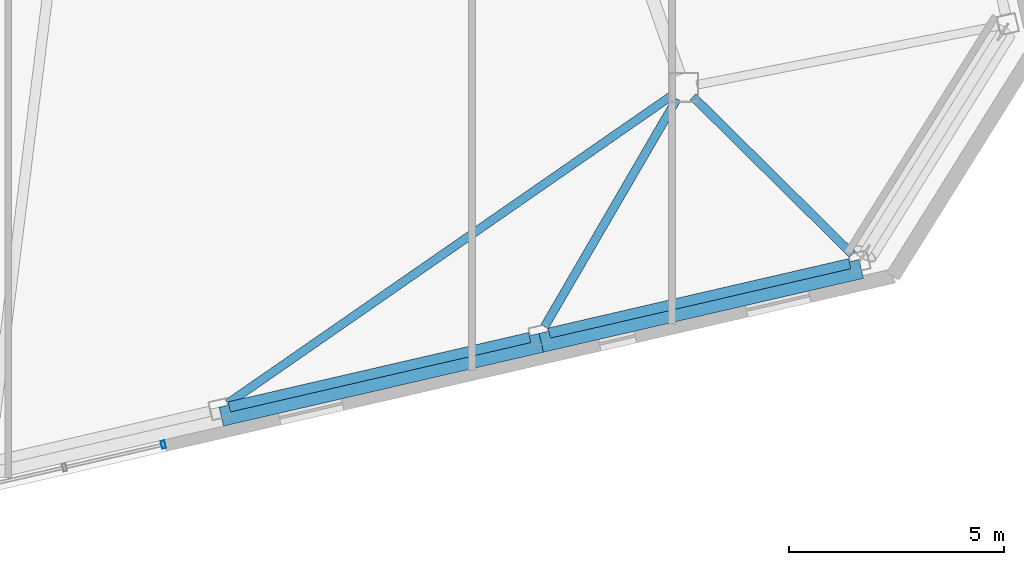
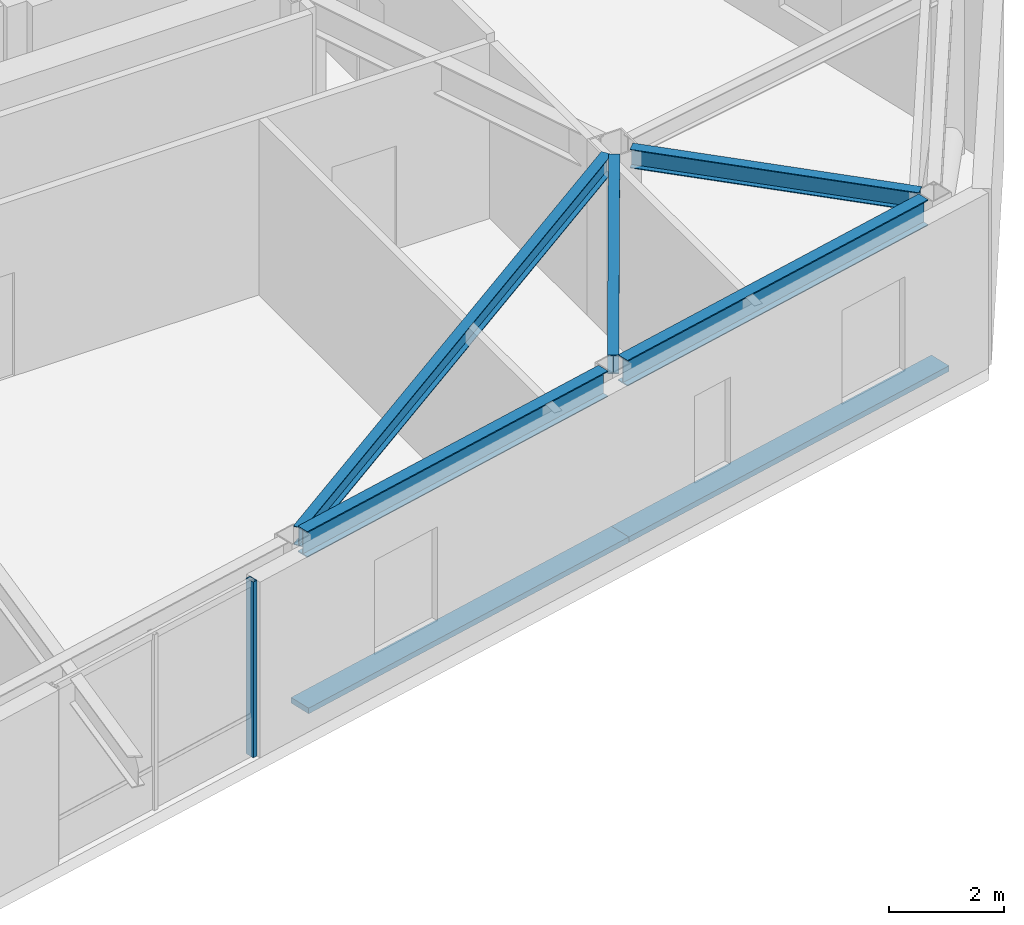
# One storey, part 10 of 24: 5 beams, 3 members, 1 element without a shape of its own.
"""IFC4 building model written with IfcOpenShell, lengths in metres."""

from ifc_helpers import new_model, si_unit, direction, frame, origin, origin_2d, place, context, subcontext, project, spatial, rectangle, hollow_rectangle, i_section, extrude, material, layer, layer_set, material_profile, profile_set, type_object, element, aggregate, save


model = new_model("IFC4")

# Units and contexts
model_context = context("Model", 3, precision=1e-05, world=origin(), true_north=direction((0.0, 1.0)))
body_context = subcontext(model_context, "Body", "Model", "MODEL_VIEW")
ifc_project = project(units=[si_unit("LENGTHUNIT", "METRE"), si_unit("AREAUNIT", "SQUARE_METRE"), si_unit("VOLUMEUNIT", "CUBIC_METRE"), si_unit("PLANEANGLEUNIT", "RADIAN"), si_unit("MASSUNIT", "GRAM", prefix="KILO")], contexts=[model_context])

# Site, building, storey
site_placement = place(None, origin())
site = spatial("IfcSite", under=ifc_project, at=site_placement, CompositionType="ELEMENT")
building_placement = place(site_placement, origin())
building = spatial("IfcBuilding", under=site, at=building_placement, Name="Tavrogorsk Clinical Tower", CompositionType="ELEMENT")
storey_placement = place(building_placement, frame((0.0, 0.0, 321.0)))
storey = spatial("IfcBuildingStorey", under=building, at=storey_placement, Name="L75", CompositionType="ELEMENT", Elevation=321.0)

# Members
ifc_material_1 = material(Name="Anodised aluminium alloy AW-6063", Category="aluminium")
ifc_material_profile_1 = material_profile(ifc_material_1, rectangle(XDim=0.449951171875, YDim=0.1201171875, at=origin_2d()), Name="ALU-SUNSHADE-450x120")
ifc_profile_set_1 = profile_set([ifc_material_profile_1], Name="Anodised aluminium alloy AW-6063")
member_type_1 = type_object("IfcMemberType", Name="ChicagoSunshade_450x120", PredefinedType="USERDEFINED", material=ifc_profile_set_1)
for number, where, z_axis, x_axis, name in (
    (1, (13.751708984375, -20.85498046875, 0.179931640625), (0.974372328168, 0.224941250331, 0.0), (-0.224941250331, 0.974372328168, 0.0), "L75 South Aluminium Sunshade S6"),
    (2, (21.1904296875, -19.1376953125, 0.179931640625), (0.974372328168, 0.224941250331, 0.0), (-0.224941250331, 0.974372328168, 0.0), "L75 South Aluminium Sunshade S7"),
):
    element("IfcMember", number, at=place(storey_placement, frame(where, z_axis=z_axis, x_axis=x_axis)), inside=storey, type_object=member_type_1, Name=name, ObjectType="SUNSHADE", PredefinedType="USERDEFINED", context=body_context, shape_type="SweptSolid", body=[
        extrude(rectangle(XDim=0.449951171875, YDim=0.1201171875, at=origin_2d()), origin(), (0.0, 0.0, 1.0), 7.63427734375),
    ])

# Curtain wall, member
ifc_material_2 = material(Name="Anodised aluminium and triple IGU glazing", Category="aluminium")
ifc_layer = layer(ifc_material_2, 0.179931640625)
ifc_layer_set = layer_set([ifc_layer], Name="Anodised aluminium and triple IGU glazing")
curtain_wall_type = type_object("IfcCurtainWallType", Name="CW3_SouthSlot", PredefinedType="NOTDEFINED", material=ifc_layer_set)
curtain_wall_placement = place(storey_placement, origin())
curtain_wall = element("IfcCurtainWall", 3, at=curtain_wall_placement, inside=storey, type_object=curtain_wall_type, Name="L75 Curtain Wall CW-L75-S-SLOT-2", PredefinedType="NOTDEFINED")
ifc_material_3 = material(Name="Anodised aluminium alloy AW-6060", Category="aluminium")
ifc_material_profile_2 = material_profile(ifc_material_3, hollow_rectangle(XDim=0.090087890625, YDim=0.179931640625, WallThickness=0.00634765625, at=origin_2d()), Name="RHS-180x90x6.3")
ifc_profile_set_2 = profile_set([ifc_material_profile_2], Name="Anodised aluminium alloy AW-6060")
member_type_2 = type_object("IfcMemberType", Name="CwMullion_180x90", PredefinedType="MULLION", material=ifc_profile_set_2)
member_placement = place(storey_placement, frame((12.4052734375, -21.504638671875, 0.0), z_axis=(0.0, 0.0, 1.0), x_axis=(0.974370057377, 0.224951086434, 0.0)))
member = element("IfcMember", 4, at=member_placement, type_object=member_type_2, Name="CW-L75-S-SLOT-2 Mullion 3", PredefinedType="MULLION", context=body_context, shape_type="SweptSolid", body=[
    extrude(hollow_rectangle(XDim=0.090087890625, YDim=0.179931640625, WallThickness=0.00634765625, at=origin_2d()), origin(), (0.0, 0.0, 1.0), 3.739990234375),
])
aggregate(curtain_wall, [member])

# Beams
ifc_material_4 = material(Name="Structural steel S355", Category="steel")
ifc_material_profile_3 = material_profile(ifc_material_4, i_section(OverallWidth=0.199951171875, OverallDepth=0.39990234375, WebThickness=0.010498046875, FlangeThickness=0.01611328125, at=origin_2d()), Name="B-400x200x10.5x16")
ifc_profile_set_3 = profile_set([ifc_material_profile_3], Name="Structural steel S355")
beam_type_1 = type_object("IfcBeamType", Name="FloorBeam_B400", PredefinedType="BEAM", material=ifc_profile_set_3)
beam_1_placement = place(storey_placement, frame((24.245361328125, -13.376708984375, 3.5400390625), z_axis=(-0.821821874963, -0.56974450926, 0.0), x_axis=(0.56974450926, -0.821821874963, 0.0)))
element("IfcBeam", 5, at=beam_1_placement, inside=storey, type_object=beam_type_1, Name="L75 Radial Floor Beam S6", PredefinedType="BEAM", context=body_context, shape_type="SweptSolid", body=[
    extrude(i_section(OverallWidth=0.199951171875, OverallDepth=0.39990234375, WebThickness=0.010498046875, FlangeThickness=0.01611328125, at=origin_2d()), origin(), (0.0, 0.0, 1.0), 12.5849609375),
])
beam_2_placement = place(storey_placement, frame((24.34423828125, -13.468017578125, 3.5400390625), z_axis=(-0.50260105099, -0.864518469174, 0.0), x_axis=(0.864518469174, -0.50260105099, 0.0)))
element("IfcBeam", 6, at=beam_2_placement, inside=storey, type_object=beam_type_1, Name="L75 Radial Floor Beam S7", PredefinedType="BEAM", context=body_context, shape_type="SweptSolid", body=[
    extrude(i_section(OverallWidth=0.199951171875, OverallDepth=0.39990234375, WebThickness=0.010498046875, FlangeThickness=0.01611328125, at=origin_2d()), origin(), (0.0, 0.0, 1.0), 6.12255859375),
])
beam_3_placement = place(storey_placement, frame((24.720458984375, -13.41796875, 3.5400390625), z_axis=(0.710870207436, -0.703323217433, 0.0), x_axis=(0.703323217433, 0.710870207436, 0.0)))
element("IfcBeam", 7, at=beam_3_placement, inside=storey, type_object=beam_type_1, Name="L75 Radial Floor Beam S8", PredefinedType="BEAM", context=body_context, shape_type="SweptSolid", body=[
    extrude(i_section(OverallWidth=0.199951171875, OverallDepth=0.39990234375, WebThickness=0.010498046875, FlangeThickness=0.01611328125, at=origin_2d()), origin(), (0.0, 0.0, 1.0), 5.208251953125),
])
ifc_material_5 = material(Name="Structural steel S390", Category="steel")
ifc_material_profile_4 = material_profile(ifc_material_5, i_section(OverallWidth=0.239990234375, OverallDepth=0.550048828125, WebThickness=0.013916015625, FlangeThickness=0.02197265625, at=origin_2d()), Name="B-550x240x14x22")
ifc_profile_set_4 = profile_set([ifc_material_profile_4], Name="Structural steel S390")
beam_type_2 = type_object("IfcBeamType", Name="SpandrelBeam_B550", PredefinedType="SPANDREL", material=ifc_profile_set_4)
for number, where, z_axis, x_axis, name in (
    (8, (13.938232421875, -20.627197265625, 3.465087890625), (0.974369378592, 0.224954026551, 0.0), (-0.224954026551, 0.974369378592, 0.0), "L75 Perimeter Spandrel S6-S7"),
    (9, (21.376953125, -18.909912109375, 3.465087890625), (0.974369378592, 0.224954026551, 0.0), (-0.224954026551, 0.974369378592, 0.0), "L75 Perimeter Spandrel S7-S8"),
):
    element("IfcBeam", number, at=place(storey_placement, frame(where, z_axis=z_axis, x_axis=x_axis)), inside=storey, type_object=beam_type_2, Name=name, PredefinedType="SPANDREL", context=body_context, shape_type="SweptSolid", body=[
        extrude(i_section(OverallWidth=0.239990234375, OverallDepth=0.550048828125, WebThickness=0.013916015625, FlangeThickness=0.02197265625, at=origin_2d()), origin(), (0.0, 0.0, 1.0), 7.16845703125),
    ])

save(model, "model.ifc")
